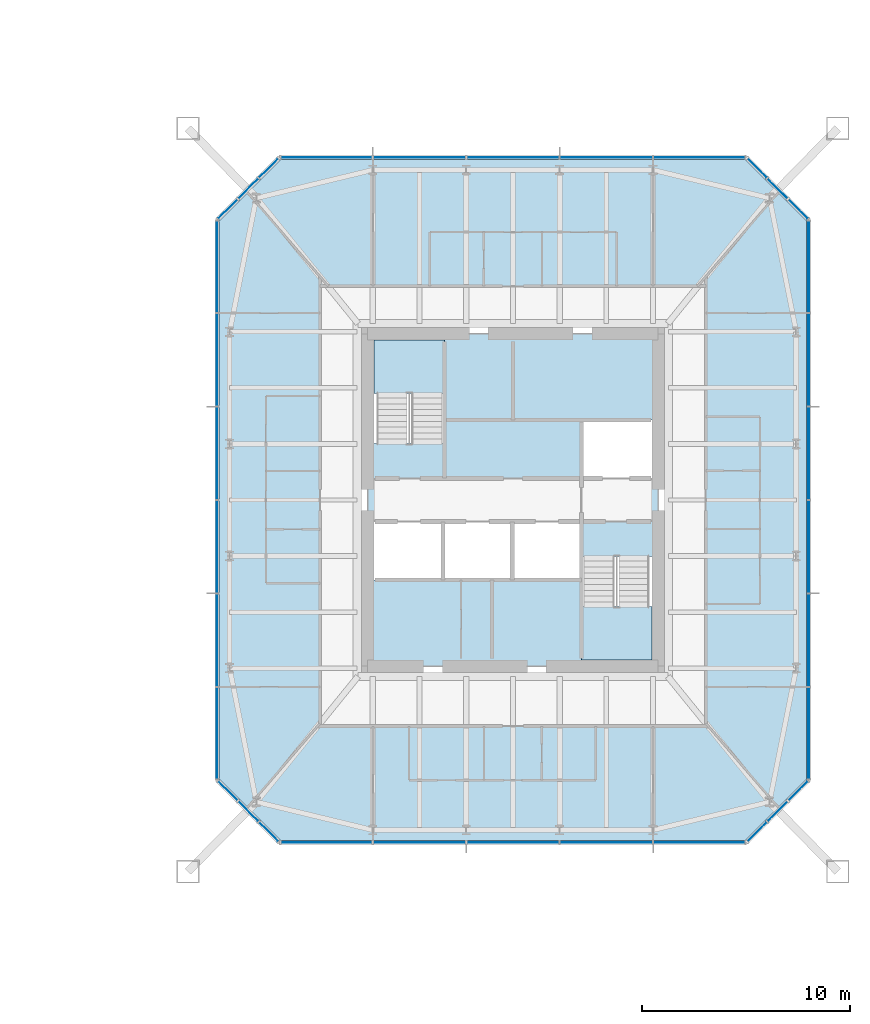
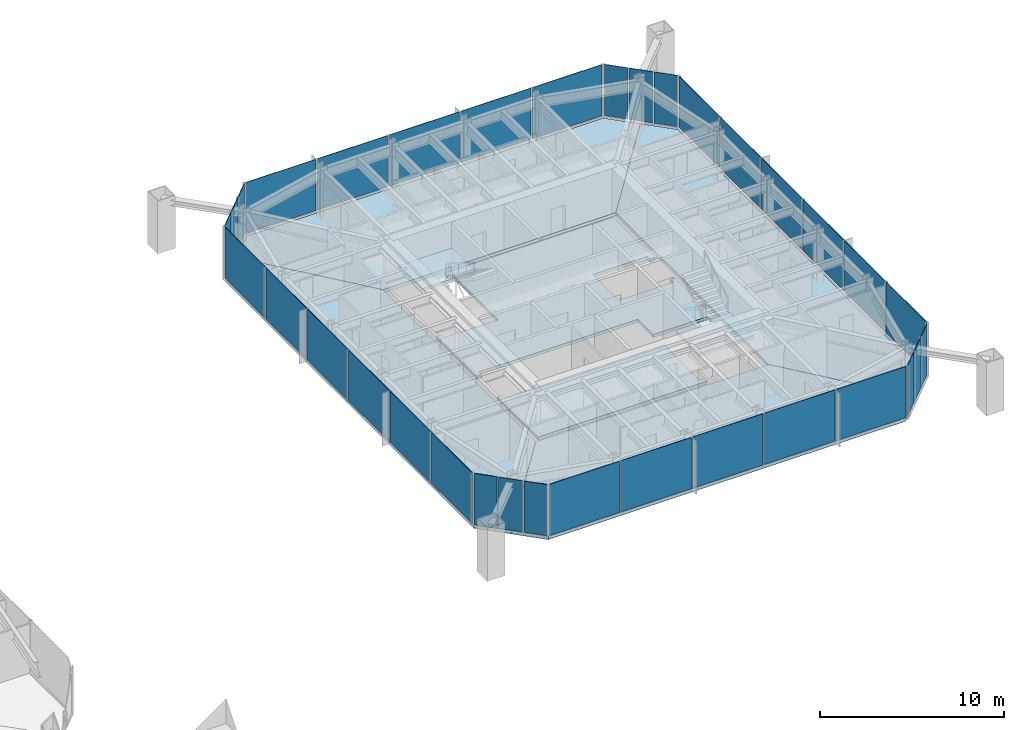
# One storey, part 12 of 25: 34 plates, 8 slabs, 10 elements without a shape of their own.
"""IFC4 building model written with IfcOpenShell, lengths in metres."""

from ifc_helpers import new_model, si_unit, direction, frame, origin, origin_2d, place, context, subcontext, project, spatial, polyline, rectangle, outline, extrude, material, layer, layer_set, constituent, constituent_set, type_object, element, aggregate, save


model = new_model("IFC4")

# Units and contexts
model_context = context("Model", 3, precision=1e-05, world=origin(), true_north=direction((0.0, 1.0)))
body_context = subcontext(model_context, "Body", "Model", "MODEL_VIEW")
ifc_project = project(units=[si_unit("LENGTHUNIT", "METRE"), si_unit("AREAUNIT", "SQUARE_METRE"), si_unit("VOLUMEUNIT", "CUBIC_METRE"), si_unit("PLANEANGLEUNIT", "RADIAN"), si_unit("MASSUNIT", "GRAM", prefix="KILO")], contexts=[model_context])

# Site, building, storey
site_placement = place(None, origin())
site = spatial("IfcSite", under=ifc_project, at=site_placement, CompositionType="ELEMENT")
building_placement = place(site_placement, origin())
building = spatial("IfcBuilding", under=site, at=building_placement, Name="Iwan Alto Co-Living Towers", CompositionType="ELEMENT")
storey_placement = place(building_placement, frame((0.0, 0.0, 119.0)))
storey = spatial("IfcBuildingStorey", under=building, at=storey_placement, Name="L32", CompositionType="ELEMENT", Elevation=119.0)

# Slabs
ifc_material_1 = material(Name="Concrete f'c 30 MPa", Category="concrete")
ifc_layer_1 = layer(ifc_material_1, 0.199951171875)
ifc_layer_set_1 = layer_set([ifc_layer_1], Name="CORE FLOOR SLAB 200")
slab_type_1 = type_object("IfcSlabType", Name="CORE FLOOR SLAB 200", PredefinedType="FLOOR", material=ifc_layer_set_1)
slab_1_placement = place(storey_placement, frame((0.0, 0.0, -0.199951171875)))
element("IfcSlab", 1, at=slab_1_placement, inside=storey, type_object=slab_type_1, Name="T2 core floor L32", PredefinedType="FLOOR", context=body_context, shape_type="SweptSolid", body=[
    extrude(outline(polyline([(70.0, -3.030029296875), (69.699951171875, -3.030029296875), (69.699951171875, -2.719970703125), (66.300048828125, -2.719970703125), (66.300048828125, -1.050048828125), (62.967041015625, -1.050048828125), (59.633056640625, -1.050048828125), (56.300048828125, -1.050048828125), (56.300048828125, -1.360107421875), (56.0, -1.360107421875), (56.0, 3.030029296875), (56.300048828125, 3.030029296875), (56.300048828125, 2.719970703125), (59.699951171875, 2.719970703125), (59.699951171875, 7.699951171875), (59.389892578125, 7.699951171875), (59.389892578125, 8.0), (70.0, 8.0), (70.0, 3.5400390625), (69.699951171875, 3.5400390625), (69.699951171875, 3.85009765625), (66.300048828125, 3.85009765625), (66.300048828125, 1.050048828125), (69.699951171875, 1.050048828125), (69.699951171875, 1.360107421875), (70.0, 1.360107421875), (70.0, -3.030029296875)])), origin(), (0.0, 0.0, 1.0), 0.199951171875),
])
slab_2_placement = place(storey_placement, frame((0.0, 0.0, -0.199951171875)))
element("IfcSlab", 2, at=slab_2_placement, inside=storey, type_object=slab_type_1, Name="T2 core floor L32", PredefinedType="FLOOR", context=body_context, shape_type="SweptSolid", body=[
    extrude(outline(polyline([(62.967041015625, -3.85009765625), (66.300048828125, -3.85009765625), (66.300048828125, -7.699951171875), (66.610107421875, -7.699951171875), (66.610107421875, -8.0), (56.0, -8.0), (56.0, -3.5400390625), (56.300048828125, -3.5400390625), (56.300048828125, -3.85009765625), (59.633056640625, -3.85009765625), (62.967041015625, -3.85009765625)])), origin(), (0.0, 0.0, 1.0), 0.199951171875),
])

# Curtain wall, plate
ifc_material_2 = material(Name="Bronze aluminium unitised frame", Category="aluminium")
curtain_wall_type_1 = type_object("IfcCurtainWallType", Name="CURTAIN WALL CW-C", PredefinedType="NOTDEFINED", material=ifc_material_2)
curtain_wall_1_placement = place(storey_placement, origin())
curtain_wall_1 = element("IfcCurtainWall", 3, at=curtain_wall_1_placement, inside=storey, type_object=curtain_wall_type_1, Name="T2 curtain wall S L32", PredefinedType="NOTDEFINED")
ifc_material_3 = material(Name="Bronze-tinted insulating glass", Category="glass")
ifc_layer_2 = layer(ifc_material_3, 0.031982421875)
ifc_layer_set_2 = layer_set([ifc_layer_2], Name="CW-C PANEL TINTED IGU 32")
plate_type_1 = type_object("IfcPlateType", Name="CW-C PANEL TINTED IGU 32", PredefinedType="CURTAIN_PANEL", material=ifc_layer_set_2)
plate_1_placement = place(storey_placement, frame((63.0, -16.5, 0.10009765625), z_axis=(0.0, 0.0, 1.0), x_axis=(1.0, 0.0, 0.0)))
plate_1 = element("IfcPlate", 4, at=plate_1_placement, type_object=plate_type_1, Name="CW-C panel 3.1", PredefinedType="CURTAIN_PANEL", context=body_context, shape_type="SweptSolid", body=[
    extrude(rectangle(XDim=4.419921875, YDim=0.031982421875, at=origin_2d()), origin(), (0.0, 0.0, 1.0), 3.39990234375),
])

# Curtain wall, plates
curtain_wall_2_placement = place(storey_placement, origin())
curtain_wall_2 = element("IfcCurtainWall", 5, at=curtain_wall_2_placement, inside=storey, type_object=curtain_wall_type_1, Name="T2 curtain wall E L32", PredefinedType="NOTDEFINED")
plate_2_placement = place(storey_placement, frame((77.25, -11.22998046875, 0.10009765625), z_axis=(0.0, 0.0, 1.0), x_axis=(0.0, 1.0, 0.0)))
plate_2 = element("IfcPlate", 6, at=plate_2_placement, type_object=plate_type_1, Name="CW-C panel 1.1", PredefinedType="CURTAIN_PANEL", context=body_context, shape_type="SweptSolid", body=[
    extrude(rectangle(XDim=4.3798828125, YDim=0.031982421875, at=origin_2d()), origin(), (0.0, 0.0, 1.0), 3.39990234375),
])
plate_3_placement = place(storey_placement, frame((77.25, -2.25, 0.10009765625), z_axis=(0.0, 0.0, 1.0), x_axis=(0.0, 1.0, 0.0)))
plate_3 = element("IfcPlate", 7, at=plate_3_placement, type_object=plate_type_1, Name="CW-C panel 3.1", PredefinedType="CURTAIN_PANEL", context=body_context, shape_type="SweptSolid", body=[
    extrude(rectangle(XDim=4.419921875, YDim=0.031982421875, at=origin_2d()), origin(), (0.0, 0.0, 1.0), 3.39990234375),
])
plate_4_placement = place(storey_placement, frame((77.25, 2.25, 0.10009765625), z_axis=(0.0, 0.0, 1.0), x_axis=(0.0, 1.0, 0.0)))
plate_4 = element("IfcPlate", 8, at=plate_4_placement, type_object=plate_type_1, Name="CW-C panel 4.1", PredefinedType="CURTAIN_PANEL", context=body_context, shape_type="SweptSolid", body=[
    extrude(rectangle(XDim=4.419921875, YDim=0.031982421875, at=origin_2d()), origin(), (0.0, 0.0, 1.0), 3.39990234375),
])
plate_5_placement = place(storey_placement, frame((77.25, 11.22998046875, 0.10009765625), z_axis=(0.0, 0.0, 1.0), x_axis=(0.0, 1.0, 0.0)))
plate_5 = element("IfcPlate", 9, at=plate_5_placement, type_object=plate_type_1, Name="CW-C panel 6.1", PredefinedType="CURTAIN_PANEL", context=body_context, shape_type="SweptSolid", body=[
    extrude(rectangle(XDim=4.3798828125, YDim=0.031982421875, at=origin_2d()), origin(), (0.0, 0.0, 1.0), 3.39990234375),
])

# Curtain wall, plate
curtain_wall_3_placement = place(storey_placement, origin())
curtain_wall_3 = element("IfcCurtainWall", 10, at=curtain_wall_3_placement, inside=storey, type_object=curtain_wall_type_1, Name="T2 curtain wall N L32", PredefinedType="NOTDEFINED")
plate_6_placement = place(storey_placement, frame((63.0, 16.5, 0.10009765625), z_axis=(0.0, 0.0, 1.0), x_axis=(-1.0, 0.0, 0.0)))
plate_6 = element("IfcPlate", 11, at=plate_6_placement, type_object=plate_type_1, Name="CW-C panel 3.1", PredefinedType="CURTAIN_PANEL", context=body_context, shape_type="SweptSolid", body=[
    extrude(rectangle(XDim=4.419921875, YDim=0.031982421875, at=origin_2d()), origin(), (0.0, 0.0, 1.0), 3.39990234375),
])

# Curtain wall, plates
curtain_wall_4_placement = place(storey_placement, origin())
curtain_wall_4 = element("IfcCurtainWall", 12, at=curtain_wall_4_placement, inside=storey, type_object=curtain_wall_type_1, Name="T2 curtain wall W L32", PredefinedType="NOTDEFINED")
plate_7_placement = place(storey_placement, frame((48.75, 11.22998046875, 0.10009765625), z_axis=(0.0, 0.0, 1.0), x_axis=(0.0, -1.0, 0.0)))
plate_7 = element("IfcPlate", 13, at=plate_7_placement, type_object=plate_type_1, Name="CW-C panel 1.1", PredefinedType="CURTAIN_PANEL", context=body_context, shape_type="SweptSolid", body=[
    extrude(rectangle(XDim=4.3798828125, YDim=0.031982421875, at=origin_2d()), origin(), (0.0, 0.0, 1.0), 3.39990234375),
])
plate_8_placement = place(storey_placement, frame((48.75, 2.25, 0.10009765625), z_axis=(0.0, 0.0, 1.0), x_axis=(0.0, -1.0, 0.0)))
plate_8 = element("IfcPlate", 14, at=plate_8_placement, type_object=plate_type_1, Name="CW-C panel 3.1", PredefinedType="CURTAIN_PANEL", context=body_context, shape_type="SweptSolid", body=[
    extrude(rectangle(XDim=4.419921875, YDim=0.031982421875, at=origin_2d()), origin(), (0.0, 0.0, 1.0), 3.39990234375),
])
plate_9_placement = place(storey_placement, frame((48.75, -2.25, 0.10009765625), z_axis=(0.0, 0.0, 1.0), x_axis=(0.0, -1.0, 0.0)))
plate_9 = element("IfcPlate", 15, at=plate_9_placement, type_object=plate_type_1, Name="CW-C panel 4.1", PredefinedType="CURTAIN_PANEL", context=body_context, shape_type="SweptSolid", body=[
    extrude(rectangle(XDim=4.419921875, YDim=0.031982421875, at=origin_2d()), origin(), (0.0, 0.0, 1.0), 3.39990234375),
])
plate_10_placement = place(storey_placement, frame((48.75, -11.22998046875, 0.10009765625), z_axis=(0.0, 0.0, 1.0), x_axis=(0.0, -1.0, 0.0)))
plate_10 = element("IfcPlate", 16, at=plate_10_placement, type_object=plate_type_1, Name="CW-C panel 6.1", PredefinedType="CURTAIN_PANEL", context=body_context, shape_type="SweptSolid", body=[
    extrude(rectangle(XDim=4.3798828125, YDim=0.031982421875, at=origin_2d()), origin(), (0.0, 0.0, 1.0), 3.39990234375),
])

# Plate
ifc_material_4 = material(Name="Insulated bronze aluminium spandrel panel", Category="aluminium")
ifc_layer_3 = layer(ifc_material_4, 0.031982421875)
ifc_layer_set_3 = layer_set([ifc_layer_3], Name="CW-C SPANDREL PANEL 32")
plate_type_2 = type_object("IfcPlateType", Name="CW-C SPANDREL PANEL 32", PredefinedType="CURTAIN_PANEL", material=ifc_layer_set_3)
plate_11_placement = place(storey_placement, frame((54.02001953125, -16.5, 0.10009765625), z_axis=(0.0, 0.0, 1.0), x_axis=(1.0, 0.0, 0.0)))
plate_11 = element("IfcPlate", 17, at=plate_11_placement, type_object=plate_type_2, Name="CW-C spandrel panel 1.1 (braced bay)", PredefinedType="CURTAIN_PANEL", context=body_context, shape_type="SweptSolid", body=[
    extrude(rectangle(XDim=4.3798828125, YDim=0.031982421875, at=origin_2d()), origin(), (0.0, 0.0, 1.0), 3.39990234375),
])

plate_12_placement = place(storey_placement, frame((58.5, -16.5, 0.10009765625), z_axis=(0.0, 0.0, 1.0), x_axis=(1.0, 0.0, 0.0)))
plate_12 = element("IfcPlate", 18, at=plate_12_placement, type_object=plate_type_2, Name="CW-C spandrel panel 2.1 (braced bay)", PredefinedType="CURTAIN_PANEL", context=body_context, shape_type="SweptSolid", body=[
    extrude(rectangle(XDim=4.419921875, YDim=0.031982421875, at=origin_2d()), origin(), (0.0, 0.0, 1.0), 3.39990234375),
])

plate_13_placement = place(storey_placement, frame((67.5, -16.5, 0.10009765625), z_axis=(0.0, 0.0, 1.0), x_axis=(1.0, 0.0, 0.0)))
plate_13 = element("IfcPlate", 19, at=plate_13_placement, type_object=plate_type_2, Name="CW-C spandrel panel 4.1 (braced bay)", PredefinedType="CURTAIN_PANEL", context=body_context, shape_type="SweptSolid", body=[
    extrude(rectangle(XDim=4.419921875, YDim=0.031982421875, at=origin_2d()), origin(), (0.0, 0.0, 1.0), 3.39990234375),
])

plate_14_placement = place(storey_placement, frame((71.97998046875, -16.5, 0.10009765625), z_axis=(0.0, 0.0, 1.0), x_axis=(1.0, 0.0, 0.0)))
plate_14 = element("IfcPlate", 20, at=plate_14_placement, type_object=plate_type_2, Name="CW-C spandrel panel 5.1 (braced bay)", PredefinedType="CURTAIN_PANEL", context=body_context, shape_type="SweptSolid", body=[
    extrude(rectangle(XDim=4.3798828125, YDim=0.031982421875, at=origin_2d()), origin(), (0.0, 0.0, 1.0), 3.39990234375),
])

aggregate(curtain_wall_1, [plate_1, plate_11, plate_12, plate_13, plate_14])

plate_15_placement = place(storey_placement, frame((77.25, -6.75, 0.10009765625), z_axis=(0.0, 0.0, 1.0), x_axis=(0.0, 1.0, 0.0)))
plate_15 = element("IfcPlate", 21, at=plate_15_placement, type_object=plate_type_2, Name="CW-C spandrel panel 2.1 (braced bay)", PredefinedType="CURTAIN_PANEL", context=body_context, shape_type="SweptSolid", body=[
    extrude(rectangle(XDim=4.419921875, YDim=0.031982421875, at=origin_2d()), origin(), (0.0, 0.0, 1.0), 3.39990234375),
])

plate_16_placement = place(storey_placement, frame((77.25, 6.75, 0.10009765625), z_axis=(0.0, 0.0, 1.0), x_axis=(0.0, 1.0, 0.0)))
plate_16 = element("IfcPlate", 22, at=plate_16_placement, type_object=plate_type_2, Name="CW-C spandrel panel 5.1 (braced bay)", PredefinedType="CURTAIN_PANEL", context=body_context, shape_type="SweptSolid", body=[
    extrude(rectangle(XDim=4.419921875, YDim=0.031982421875, at=origin_2d()), origin(), (0.0, 0.0, 1.0), 3.39990234375),
])

aggregate(curtain_wall_2, [plate_2, plate_3, plate_4, plate_5, plate_15, plate_16])

plate_17_placement = place(storey_placement, frame((71.97998046875, 16.5, 0.10009765625), z_axis=(0.0, 0.0, 1.0), x_axis=(-1.0, 0.0, 0.0)))
plate_17 = element("IfcPlate", 23, at=plate_17_placement, type_object=plate_type_2, Name="CW-C spandrel panel 1.1 (braced bay)", PredefinedType="CURTAIN_PANEL", context=body_context, shape_type="SweptSolid", body=[
    extrude(rectangle(XDim=4.3798828125, YDim=0.031982421875, at=origin_2d()), origin(), (0.0, 0.0, 1.0), 3.39990234375),
])

plate_18_placement = place(storey_placement, frame((67.5, 16.5, 0.10009765625), z_axis=(0.0, 0.0, 1.0), x_axis=(-1.0, 0.0, 0.0)))
plate_18 = element("IfcPlate", 24, at=plate_18_placement, type_object=plate_type_2, Name="CW-C spandrel panel 2.1 (braced bay)", PredefinedType="CURTAIN_PANEL", context=body_context, shape_type="SweptSolid", body=[
    extrude(rectangle(XDim=4.419921875, YDim=0.031982421875, at=origin_2d()), origin(), (0.0, 0.0, 1.0), 3.39990234375),
])

plate_19_placement = place(storey_placement, frame((58.5, 16.5, 0.10009765625), z_axis=(0.0, 0.0, 1.0), x_axis=(-1.0, 0.0, 0.0)))
plate_19 = element("IfcPlate", 25, at=plate_19_placement, type_object=plate_type_2, Name="CW-C spandrel panel 4.1 (braced bay)", PredefinedType="CURTAIN_PANEL", context=body_context, shape_type="SweptSolid", body=[
    extrude(rectangle(XDim=4.419921875, YDim=0.031982421875, at=origin_2d()), origin(), (0.0, 0.0, 1.0), 3.39990234375),
])

plate_20_placement = place(storey_placement, frame((54.02001953125, 16.5, 0.10009765625), z_axis=(0.0, 0.0, 1.0), x_axis=(-1.0, 0.0, 0.0)))
plate_20 = element("IfcPlate", 26, at=plate_20_placement, type_object=plate_type_2, Name="CW-C spandrel panel 5.1 (braced bay)", PredefinedType="CURTAIN_PANEL", context=body_context, shape_type="SweptSolid", body=[
    extrude(rectangle(XDim=4.3798828125, YDim=0.031982421875, at=origin_2d()), origin(), (0.0, 0.0, 1.0), 3.39990234375),
])

aggregate(curtain_wall_3, [plate_6, plate_17, plate_18, plate_19, plate_20])

plate_21_placement = place(storey_placement, frame((48.75, 6.75, 0.10009765625), z_axis=(0.0, 0.0, 1.0), x_axis=(0.0, -1.0, 0.0)))
plate_21 = element("IfcPlate", 27, at=plate_21_placement, type_object=plate_type_2, Name="CW-C spandrel panel 2.1 (braced bay)", PredefinedType="CURTAIN_PANEL", context=body_context, shape_type="SweptSolid", body=[
    extrude(rectangle(XDim=4.419921875, YDim=0.031982421875, at=origin_2d()), origin(), (0.0, 0.0, 1.0), 3.39990234375),
])

plate_22_placement = place(storey_placement, frame((48.75, -6.75, 0.10009765625), z_axis=(0.0, 0.0, 1.0), x_axis=(0.0, -1.0, 0.0)))
plate_22 = element("IfcPlate", 28, at=plate_22_placement, type_object=plate_type_2, Name="CW-C spandrel panel 5.1 (braced bay)", PredefinedType="CURTAIN_PANEL", context=body_context, shape_type="SweptSolid", body=[
    extrude(rectangle(XDim=4.419921875, YDim=0.031982421875, at=origin_2d()), origin(), (0.0, 0.0, 1.0), 3.39990234375),
])

aggregate(curtain_wall_4, [plate_7, plate_8, plate_9, plate_10, plate_21, plate_22])

# Curtain wall, plates
ifc_material_5 = material(Name="Bronze aluminium unitised frame", Category="aluminium")
curtain_wall_type_2 = type_object("IfcCurtainWallType", Name="CURTAIN WALL CW-D", PredefinedType="NOTDEFINED", material=ifc_material_5)
curtain_wall_5_placement = place(storey_placement, origin())
curtain_wall_5 = element("IfcCurtainWall", 29, at=curtain_wall_5_placement, inside=storey, type_object=curtain_wall_type_2, Name="T2 chamfer curtain wall SE L32", PredefinedType="NOTDEFINED")
ifc_material_6 = material(Name="Bronze-tinted insulating glass", Category="glass")
ifc_layer_4 = layer(ifc_material_6, 0.031982421875)
ifc_layer_set_4 = layer_set([ifc_layer_4], Name="CW-D PANEL TINTED IGU 32")
plate_type_3 = type_object("IfcPlateType", Name="CW-D PANEL TINTED IGU 32", PredefinedType="CURTAIN_PANEL", material=ifc_layer_set_4)
plate_23_placement = place(storey_placement, frame((74.76416015625, -15.98583984375, 0.10009765625), z_axis=(0.0, 0.0, 1.0), x_axis=(0.707106781187, 0.707106781187, 0.0)))
plate_23 = element("IfcPlate", 30, at=plate_23_placement, type_object=plate_type_3, Name="CW-D panel 1.1", PredefinedType="CURTAIN_PANEL", context=body_context, shape_type="SweptSolid", body=[
    extrude(rectangle(XDim=1.294189453125, YDim=0.031982421875, at=origin_2d()), origin(), (0.0, 0.0, 1.0), 3.39990234375),
])
plate_24_placement = place(storey_placement, frame((75.75, -15.0, 0.10009765625), z_axis=(0.0, 0.0, 1.0), x_axis=(0.707106781187, 0.707106781187, 0.0)))
plate_24 = element("IfcPlate", 31, at=plate_24_placement, type_object=plate_type_3, Name="CW-D panel 2.1", PredefinedType="CURTAIN_PANEL", context=body_context, shape_type="SweptSolid", body=[
    extrude(rectangle(XDim=1.334228515625, YDim=0.031982421875, at=origin_2d()), origin(), (0.0, 0.0, 1.0), 3.39990234375),
])
plate_25_placement = place(storey_placement, frame((76.73583984375, -14.01416015625, 0.10009765625), z_axis=(0.0, 0.0, 1.0), x_axis=(0.707106781187, 0.707106781187, 0.0)))
plate_25 = element("IfcPlate", 32, at=plate_25_placement, type_object=plate_type_3, Name="CW-D panel 3.1", PredefinedType="CURTAIN_PANEL", context=body_context, shape_type="SweptSolid", body=[
    extrude(rectangle(XDim=1.294189453125, YDim=0.031982421875, at=origin_2d()), origin(), (0.0, 0.0, 1.0), 3.39990234375),
])
aggregate(curtain_wall_5, [plate_23, plate_24, plate_25])

curtain_wall_6_placement = place(storey_placement, origin())
curtain_wall_6 = element("IfcCurtainWall", 33, at=curtain_wall_6_placement, inside=storey, type_object=curtain_wall_type_2, Name="T2 chamfer curtain wall NE L32", PredefinedType="NOTDEFINED")
plate_26_placement = place(storey_placement, frame((76.73583984375, 14.01416015625, 0.10009765625), z_axis=(0.0, 0.0, 1.0), x_axis=(-0.707106781187, 0.707106781187, 0.0)))
plate_26 = element("IfcPlate", 34, at=plate_26_placement, type_object=plate_type_3, Name="CW-D panel 1.1", PredefinedType="CURTAIN_PANEL", context=body_context, shape_type="SweptSolid", body=[
    extrude(rectangle(XDim=1.294189453125, YDim=0.031982421875, at=origin_2d()), origin(), (0.0, 0.0, 1.0), 3.39990234375),
])
plate_27_placement = place(storey_placement, frame((75.75, 15.0, 0.10009765625), z_axis=(0.0, 0.0, 1.0), x_axis=(-0.707106781187, 0.707106781187, 0.0)))
plate_27 = element("IfcPlate", 35, at=plate_27_placement, type_object=plate_type_3, Name="CW-D panel 2.1", PredefinedType="CURTAIN_PANEL", context=body_context, shape_type="SweptSolid", body=[
    extrude(rectangle(XDim=1.334228515625, YDim=0.031982421875, at=origin_2d()), origin(), (0.0, 0.0, 1.0), 3.39990234375),
])
plate_28_placement = place(storey_placement, frame((74.76416015625, 15.98583984375, 0.10009765625), z_axis=(0.0, 0.0, 1.0), x_axis=(-0.707106781187, 0.707106781187, 0.0)))
plate_28 = element("IfcPlate", 36, at=plate_28_placement, type_object=plate_type_3, Name="CW-D panel 3.1", PredefinedType="CURTAIN_PANEL", context=body_context, shape_type="SweptSolid", body=[
    extrude(rectangle(XDim=1.294189453125, YDim=0.031982421875, at=origin_2d()), origin(), (0.0, 0.0, 1.0), 3.39990234375),
])
aggregate(curtain_wall_6, [plate_26, plate_27, plate_28])

curtain_wall_7_placement = place(storey_placement, origin())
curtain_wall_7 = element("IfcCurtainWall", 37, at=curtain_wall_7_placement, inside=storey, type_object=curtain_wall_type_2, Name="T2 chamfer curtain wall NW L32", PredefinedType="NOTDEFINED")
plate_29_placement = place(storey_placement, frame((51.23583984375, 15.98583984375, 0.10009765625), z_axis=(0.0, 0.0, 1.0), x_axis=(-0.707106781187, -0.707106781187, 0.0)))
plate_29 = element("IfcPlate", 38, at=plate_29_placement, type_object=plate_type_3, Name="CW-D panel 1.1", PredefinedType="CURTAIN_PANEL", context=body_context, shape_type="SweptSolid", body=[
    extrude(rectangle(XDim=1.294189453125, YDim=0.031982421875, at=origin_2d()), origin(), (0.0, 0.0, 1.0), 3.39990234375),
])
plate_30_placement = place(storey_placement, frame((50.25, 15.0, 0.10009765625), z_axis=(0.0, 0.0, 1.0), x_axis=(-0.707106781187, -0.707106781187, 0.0)))
plate_30 = element("IfcPlate", 39, at=plate_30_placement, type_object=plate_type_3, Name="CW-D panel 2.1", PredefinedType="CURTAIN_PANEL", context=body_context, shape_type="SweptSolid", body=[
    extrude(rectangle(XDim=1.334228515625, YDim=0.031982421875, at=origin_2d()), origin(), (0.0, 0.0, 1.0), 3.39990234375),
])
plate_31_placement = place(storey_placement, frame((49.26416015625, 14.01416015625, 0.10009765625), z_axis=(0.0, 0.0, 1.0), x_axis=(-0.707106781187, -0.707106781187, 0.0)))
plate_31 = element("IfcPlate", 40, at=plate_31_placement, type_object=plate_type_3, Name="CW-D panel 3.1", PredefinedType="CURTAIN_PANEL", context=body_context, shape_type="SweptSolid", body=[
    extrude(rectangle(XDim=1.294189453125, YDim=0.031982421875, at=origin_2d()), origin(), (0.0, 0.0, 1.0), 3.39990234375),
])
aggregate(curtain_wall_7, [plate_29, plate_30, plate_31])

curtain_wall_8_placement = place(storey_placement, origin())
curtain_wall_8 = element("IfcCurtainWall", 41, at=curtain_wall_8_placement, inside=storey, type_object=curtain_wall_type_2, Name="T2 chamfer curtain wall SW L32", PredefinedType="NOTDEFINED")
plate_32_placement = place(storey_placement, frame((49.26416015625, -14.01416015625, 0.10009765625), z_axis=(0.0, 0.0, 1.0), x_axis=(0.707106781187, -0.707106781187, 0.0)))
plate_32 = element("IfcPlate", 42, at=plate_32_placement, type_object=plate_type_3, Name="CW-D panel 1.1", PredefinedType="CURTAIN_PANEL", context=body_context, shape_type="SweptSolid", body=[
    extrude(rectangle(XDim=1.294189453125, YDim=0.031982421875, at=origin_2d()), origin(), (0.0, 0.0, 1.0), 3.39990234375),
])
plate_33_placement = place(storey_placement, frame((50.25, -15.0, 0.10009765625), z_axis=(0.0, 0.0, 1.0), x_axis=(0.707106781187, -0.707106781187, 0.0)))
plate_33 = element("IfcPlate", 43, at=plate_33_placement, type_object=plate_type_3, Name="CW-D panel 2.1", PredefinedType="CURTAIN_PANEL", context=body_context, shape_type="SweptSolid", body=[
    extrude(rectangle(XDim=1.334228515625, YDim=0.031982421875, at=origin_2d()), origin(), (0.0, 0.0, 1.0), 3.39990234375),
])
plate_34_placement = place(storey_placement, frame((51.23583984375, -15.98583984375, 0.10009765625), z_axis=(0.0, 0.0, 1.0), x_axis=(0.707106781187, -0.707106781187, 0.0)))
plate_34 = element("IfcPlate", 44, at=plate_34_placement, type_object=plate_type_3, Name="CW-D panel 3.1", PredefinedType="CURTAIN_PANEL", context=body_context, shape_type="SweptSolid", body=[
    extrude(rectangle(XDim=1.294189453125, YDim=0.031982421875, at=origin_2d()), origin(), (0.0, 0.0, 1.0), 3.39990234375),
])
aggregate(curtain_wall_8, [plate_32, plate_33, plate_34])

# Stair, slab
ifc_material_7 = material(Name="Steel ASTM A36", Category="steel")
ifc_constituent_1 = constituent(ifc_material_7, Name="Stringers", Category="LoadBearing")
ifc_material_8 = material(Name="Concrete f'c 30 MPa", Category="concrete")
ifc_constituent_2 = constituent(ifc_material_8, Name="Tread fill", Category="Finish")
ifc_constituent_set = constituent_set(constituents=[ifc_constituent_1, ifc_constituent_2], Name="STAIR 3500 TWO-FLIGHT T2 CORE")
stair_type = type_object("IfcStairType", Name="STAIR 3500 TWO-FLIGHT T2 CORE", PredefinedType="HALF_TURN_STAIR", material=ifc_constituent_set)
stair_1_placement = place(storey_placement, origin())
stair_1 = element("IfcStair", 45, at=stair_1_placement, inside=storey, type_object=stair_type, Name="Stair T2-S1 L32 to L33", PredefinedType="HALF_TURN_STAIR")
ifc_material_9 = material(Name="Concrete f'c 30 MPa", Category="concrete")
ifc_layer_5 = layer(ifc_material_9, 0.199951171875)
ifc_layer_set_5 = layer_set([ifc_layer_5], Name="STAIR LANDING 200")
slab_type_2 = type_object("IfcSlabType", Name="STAIR LANDING 200", PredefinedType="LANDING", material=ifc_layer_set_5)
slab_3_placement = place(storey_placement, frame((0.0, 0.0, 1.550048828125)))
slab_3 = element("IfcSlab", 46, at=slab_3_placement, type_object=slab_type_2, Name="T2-S1 landing 1", PredefinedType="LANDING", context=body_context, shape_type="SweptSolid", body=[
    extrude(outline(polyline([(56.300048828125, 5.139892578125), (56.300048828125, 7.699951171875), (59.699951171875, 7.699951171875), (59.699951171875, 5.139892578125), (56.300048828125, 5.139892578125)])), origin(), (0.0, 0.0, 1.0), 0.199951171875),
])
aggregate(stair_1, [slab_3])

stair_2_placement = place(storey_placement, origin())
stair_2 = element("IfcStair", 47, at=stair_2_placement, inside=storey, type_object=stair_type, Name="Stair T2-S2 L32 to L33", PredefinedType="HALF_TURN_STAIR")
slab_4_placement = place(storey_placement, frame((0.0, 0.0, 1.550048828125)))
slab_4 = element("IfcSlab", 48, at=slab_4_placement, type_object=slab_type_2, Name="T2-S2 landing 1", PredefinedType="LANDING", context=body_context, shape_type="SweptSolid", body=[
    extrude(outline(polyline([(66.300048828125, -5.139892578125), (66.300048828125, -7.699951171875), (69.699951171875, -7.699951171875), (69.699951171875, -5.139892578125), (66.300048828125, -5.139892578125)])), origin(), (0.0, 0.0, 1.0), 0.199951171875),
])
aggregate(stair_2, [slab_4])

# Slabs
ifc_material_10 = material(Name="Concrete f'c 30 MPa", Category="concrete")
ifc_layer_6 = layer(ifc_material_10, 0.22998046875)
ifc_layer_set_6 = layer_set([ifc_layer_6], Name="T2 FLOOR SLAB 230")
slab_type_3 = type_object("IfcSlabType", Name="T2 FLOOR SLAB 230", PredefinedType="FLOOR", material=ifc_layer_set_6)
slab_5_placement = place(storey_placement, frame((0.0, 0.0, -0.22998046875)))
element("IfcSlab", 49, at=slab_5_placement, inside=storey, type_object=slab_type_3, Name="T2 floor slab L32 S pour", PredefinedType="FLOOR", context=body_context, shape_type="SweptSolid", body=[
    extrude(outline(polyline([(74.19140625, -16.39990234375), (51.80859375, -16.39990234375), (50.330810546875, -14.92236328125), (55.699951171875, -8.300048828125), (70.300048828125, -8.300048828125), (75.669189453125, -14.92236328125), (74.19140625, -16.39990234375)])), origin(), (0.0, 0.0, 1.0), 0.22998046875),
])
slab_6_placement = place(storey_placement, frame((0.0, 0.0, -0.22998046875)))
element("IfcSlab", 50, at=slab_6_placement, inside=storey, type_object=slab_type_3, Name="T2 floor slab L32 E pour", PredefinedType="FLOOR", context=body_context, shape_type="SweptSolid", body=[
    extrude(outline(polyline([(77.14990234375, 13.44140625), (77.14990234375, -13.44140625), (75.669189453125, -14.92236328125), (70.300048828125, -8.300048828125), (70.300048828125, 8.300048828125), (75.669189453125, 14.92236328125), (77.14990234375, 13.44140625)])), origin(), (0.0, 0.0, 1.0), 0.22998046875),
])
slab_7_placement = place(storey_placement, frame((0.0, 0.0, -0.22998046875)))
element("IfcSlab", 51, at=slab_7_placement, inside=storey, type_object=slab_type_3, Name="T2 floor slab L32 N pour", PredefinedType="FLOOR", context=body_context, shape_type="SweptSolid", body=[
    extrude(outline(polyline([(51.80859375, 16.39990234375), (74.19140625, 16.39990234375), (75.669189453125, 14.92236328125), (70.300048828125, 8.300048828125), (55.699951171875, 8.300048828125), (50.330810546875, 14.92236328125), (51.80859375, 16.39990234375)])), origin(), (0.0, 0.0, 1.0), 0.22998046875),
])
slab_8_placement = place(storey_placement, frame((0.0, 0.0, -0.22998046875)))
element("IfcSlab", 52, at=slab_8_placement, inside=storey, type_object=slab_type_3, Name="T2 floor slab L32 W pour", PredefinedType="FLOOR", context=body_context, shape_type="SweptSolid", body=[
    extrude(outline(polyline([(48.85009765625, 13.44140625), (50.330810546875, 14.92236328125), (55.699951171875, 8.300048828125), (55.699951171875, -8.300048828125), (50.330810546875, -14.92236328125), (48.85009765625, -13.44140625), (48.85009765625, 13.44140625)])), origin(), (0.0, 0.0, 1.0), 0.22998046875),
])

save(model, "model.ifc")
